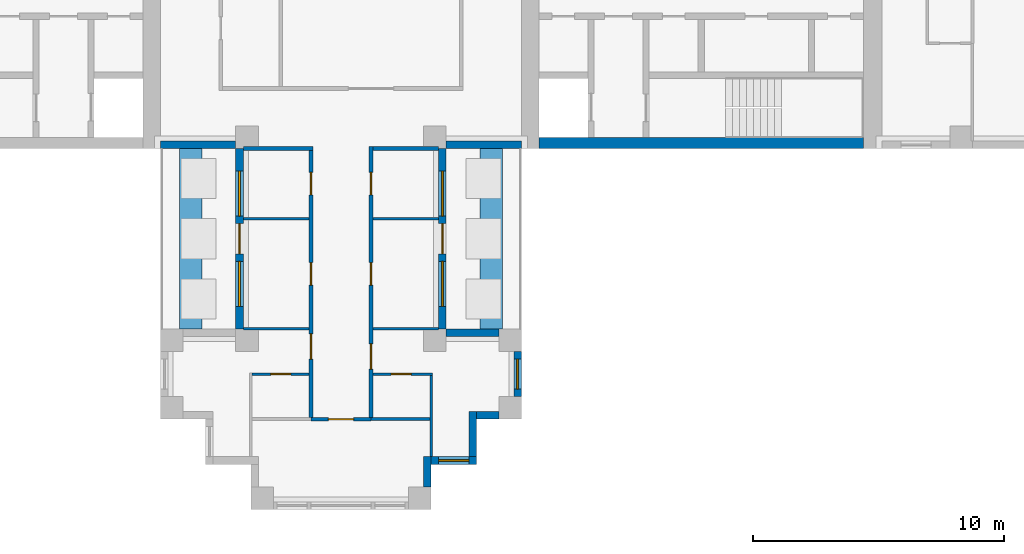
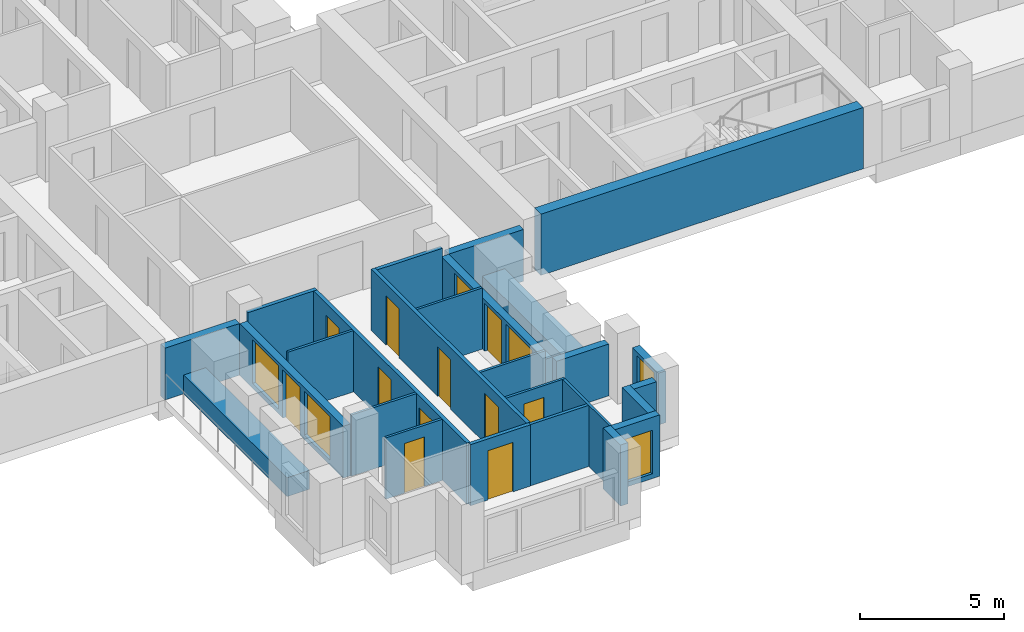
# One storey, part 5 of 12: 26 walls, 11 doors, 6 windows, 17 openings.
"""IFC4 building model written with IfcOpenShell, lengths in metres."""

import ifcopenshell
import ifcopenshell.guid

model = None  # the IFC model being written
_history = None  # IfcOwnerHistory: only IFC2X3 demands one
_inside = {}  # id of a spatial element -> (the spatial element, [elements in it])
_under = {}  # id of a project, library or spatial element -> (it, [spatial elements below it])
_declared = {}  # id of a project -> (the project, [libraries it declares])
_typed = {}  # id of a type object -> (the type object, [elements of that type])
_made_of = {}  # id of a material, layer set ... -> (it, [elements and type objects made of it])


def new_model(schema):
    """Start an empty IFC model of exactly this schema.

    Asked for "IFC4X3", IfcOpenShell would pick the latest addendum, in which some entities
    have other attributes; the version numbers below select the first issue.
    IFC2X3 requires an IfcOwnerHistory on every rooted entity: one is made here for all.
    """
    global model, _history
    if schema == "IFC4X3":
        model = ifcopenshell.file(schema_version=(4, 3, 0, 0))
    else:
        model = ifcopenshell.file(schema=schema)
    _inside.clear()
    _under.clear()
    _declared.clear()
    _typed.clear()
    _made_of.clear()
    _history = None
    if model.schema == "IFC2X3":
        org = make("IfcOrganization", Name="unknown")
        user = make(
            "IfcPersonAndOrganization",
            ThePerson=make("IfcPerson", FamilyName="unknown"),
            TheOrganization=org,
        )
        app = make(
            "IfcApplication",
            ApplicationDeveloper=org,
            Version="unknown",
            ApplicationFullName="unknown",
            ApplicationIdentifier="unknown",
        )
        _history = make(
            "IfcOwnerHistory",
            OwningUser=user,
            OwningApplication=app,
            ChangeAction="ADDED",
            CreationDate=0,
        )
    return model


def make(cls, **values):
    """One entity of the class cls with the attributes given. An attribute that is None is left unset."""
    return model.create_entity(
        cls, **{name: value for name, value in values.items() if value is not None}
    )


def rooted(cls, **values):
    """An entity with a GlobalId (a new one), such as an element, a storey or a relation."""
    return make(cls, GlobalId=ifcopenshell.guid.new(), OwnerHistory=_history, **values)


def si_unit(unit_type, name, prefix=None):
    """IfcSIUnit, for example si_unit("LENGTHUNIT", "METRE", prefix="MILLI")."""
    return make("IfcSIUnit", UnitType=unit_type, Prefix=prefix, Name=name)


def assignment(units):
    """IfcUnitAssignment: the units of a project."""
    return None if units is None else make("IfcUnitAssignment", Units=units)


def point(xyz):
    """IfcCartesianPoint."""
    return None if xyz is None else make("IfcCartesianPoint", Coordinates=xyz)


def direction(xyz):
    """IfcDirection."""
    return None if xyz is None else make("IfcDirection", DirectionRatios=xyz)


def frame(location, z_axis=None, x_axis=None):
    """IfcAxis2Placement3D, a coordinate frame: its origin and axes. An axis left out is left unset."""
    return make(
        "IfcAxis2Placement3D",
        Location=point(location),
        Axis=direction(z_axis),
        RefDirection=direction(x_axis),
    )


def frame_2d(location, x_axis=None):
    """IfcAxis2Placement2D, a coordinate frame in the plane: its origin and x axis."""
    return make(
        "IfcAxis2Placement2D", Location=point(location), RefDirection=direction(x_axis)
    )


def origin():
    """The frame at (0, 0, 0) with its axes left unset."""
    return frame((0.0, 0.0, 0.0))


def place(relative_to, where):
    """IfcLocalPlacement: puts the frame where relative to a parent placement (None: the world)."""
    return make(
        "IfcLocalPlacement", PlacementRelTo=relative_to, RelativePlacement=where
    )


def context(
    kind, dimensions, precision=None, world=None, true_north=None, identifier=None
):
    """IfcGeometricRepresentationContext, for example the 3D "Model" context."""
    return make(
        "IfcGeometricRepresentationContext",
        ContextIdentifier=identifier,
        ContextType=kind,
        CoordinateSpaceDimension=dimensions,
        Precision=precision,
        WorldCoordinateSystem=world,
        TrueNorth=true_north,
    )


def subcontext(parent, identifier, kind, view, scale=None):
    """IfcGeometricRepresentationSubContext, for example "Body" below "Model"."""
    return make(
        "IfcGeometricRepresentationSubContext",
        ContextIdentifier=identifier,
        ContextType=kind,
        ParentContext=parent,
        TargetScale=scale,
        TargetView=view,
    )


def project(units=None, contexts=None):
    """IfcProject with its units and contexts."""
    return rooted(
        "IfcProject",
        Name="project",
        RepresentationContexts=contexts,
        UnitsInContext=assignment(units),
    )


def spatial(cls, under=None, at=None, **own):
    """A site, building, storey or space (cls), placed at a placement, below another one or the project."""
    s = rooted(cls, ObjectPlacement=at, **own)
    if under is not None:
        _under.setdefault(under.id(), (under, []))[1].append(s)
    return s


def profile(cls, at=None, kind="AREA", **sizes):
    """A parametric profile (cls). Its sizes go by their IFC names, for example OverallWidth=200.0."""
    return make(cls, ProfileType=kind, Position=at, **sizes)


def rectangle(**sizes):
    """IfcRectangleProfileDef."""
    return profile("IfcRectangleProfileDef", **sizes)


def extrude(swept, where, along, depth):
    """IfcExtrudedAreaSolid: the profile swept, set in the frame where, extruded along a direction by depth."""
    return make(
        "IfcExtrudedAreaSolid",
        SweptArea=swept,
        Position=where,
        ExtrudedDirection=direction(along),
        Depth=depth,
    )


def shape(context_of_items, identifier, shape_type, items):
    """IfcShapeRepresentation: the items that make up one representation, for example the "Body"."""
    return make(
        "IfcShapeRepresentation",
        ContextOfItems=context_of_items,
        RepresentationIdentifier=identifier,
        RepresentationType=shape_type,
        Items=items,
    )


def material(Name=None, Category=None):
    """IfcMaterial."""
    return make("IfcMaterial", Name=Name, Category=Category)


def layer(
    of_material, thickness, ventilated=None, Name=None, Category=None, Priority=None
):
    """IfcMaterialLayer: one layer of a wall or slab, of a material (None: an air gap)."""
    return make(
        "IfcMaterialLayer",
        Material=of_material,
        LayerThickness=thickness,
        IsVentilated=ventilated,
        Name=Name,
        Category=Category,
        Priority=Priority,
    )


def layer_set(layers, Name=None):
    """IfcMaterialLayerSet."""
    return make("IfcMaterialLayerSet", MaterialLayers=layers, LayerSetName=Name)


def made_of(thing, what):
    """Note that an element or type object is made of a material, layer set ...; save() writes the relation."""
    if what is not None:
        _made_of.setdefault(what.id(), (what, []))[1].append(thing)
    return thing


def type_object(cls, material=None, **own):
    """A type object (cls), such as IfcWallType, which elements share."""
    return made_of(rooted(cls, **own), material)


def element(
    cls,
    number,
    at=None,
    inside=None,
    cuts=None,
    type_object=None,
    material=None,
    context=None,
    identifier="Body",
    shape_type=None,
    held_by="IfcProductDefinitionShape",
    body=None,
    shapes=None,
    **own,
):
    """One element of the class cls, such as IfcWall. Its Tag is "e" and its number.

    at: its placement. inside: the storey or other place that contains it. cuts: it is an
    opening in that element (IfcRelVoidsElement). A single representation is given by context,
    identifier, shape_type and body (its items); several are given by shapes. held_by: the class
    of the entity that holds the representations. save() writes the other relations.
    """
    e = rooted(cls, Tag="e%d" % number, ObjectPlacement=at, **own)
    if body is not None:
        shapes = [shape(context, identifier, shape_type, body)]
    if shapes is not None:
        e.Representation = make(held_by, Representations=shapes)
    if inside is not None:
        _inside.setdefault(inside.id(), (inside, []))[1].append(e)
    if cuts is not None:
        rooted(
            "IfcRelVoidsElement", RelatingBuildingElement=cuts, RelatedOpeningElement=e
        )
    if type_object is not None:
        _typed.setdefault(type_object.id(), (type_object, []))[1].append(e)
    return made_of(e, material)


def fill(opening, filler):
    """IfcRelFillsElement: the door or window that sits in an opening."""
    return rooted(
        "IfcRelFillsElement",
        RelatingOpeningElement=opening,
        RelatedBuildingElement=filler,
    )


def aggregate(whole, parts):
    """IfcRelAggregates: a whole, such as a stair, and the parts it consists of."""
    return rooted("IfcRelAggregates", RelatingObject=whole, RelatedObjects=parts)


def save(model, path):
    """Write the relations noted so far, then the file.

    IfcRelAggregates (storeys below a building ...), IfcRelContainedInSpatialStructure (elements
    in a storey), IfcRelDefinesByType, IfcRelAssociatesMaterial and IfcRelDeclares: one each for
    every whole, place, type object, material and project.
    """
    for whole, parts in _under.values():
        aggregate(whole, parts)
    for where, things in _inside.values():
        rooted(
            "IfcRelContainedInSpatialStructure",
            RelatedElements=things,
            RelatingStructure=where,
        )
    for kind, things in _typed.values():
        rooted("IfcRelDefinesByType", RelatedObjects=things, RelatingType=kind)
    for what, things in _made_of.values():
        rooted("IfcRelAssociatesMaterial", RelatedObjects=things, RelatingMaterial=what)
    for by, libraries in _declared.values():
        rooted("IfcRelDeclares", RelatingContext=by, RelatedDefinitions=libraries)
    model.write(path)


model = new_model("IFC4")

# Units and contexts
model_context = context("Model", 3, precision=1e-05, world=origin(), true_north=direction((0.0, 1.0)))
body_context = subcontext(model_context, "Body", "Model", "MODEL_VIEW")
ifc_project = project(units=[si_unit("LENGTHUNIT", "METRE"), si_unit("AREAUNIT", "SQUARE_METRE"), si_unit("VOLUMEUNIT", "CUBIC_METRE"), si_unit("PLANEANGLEUNIT", "RADIAN"), si_unit("MASSUNIT", "GRAM", prefix="KILO")], contexts=[model_context])

# Site, building, storey
site_placement = place(None, origin())
site = spatial("IfcSite", under=ifc_project, at=site_placement, CompositionType="ELEMENT")
building_placement = place(site_placement, origin())
building = spatial("IfcBuilding", under=site, at=building_placement, Name="Fustian Cross Tower", CompositionType="ELEMENT")
storey_placement = place(building_placement, frame((0.0, 0.0, 150.300048828125)))
storey = spatial("IfcBuildingStorey", under=building, at=storey_placement, Name="L47", CompositionType="ELEMENT", Elevation=150.300048828125)

# Wall
ifc_material_1 = material(Name="Plasterboard on steel stud", Category="steel")
ifc_layer_1 = layer(ifc_material_1, 0.14990234375)
ifc_layer_set_1 = layer_set([ifc_layer_1], Name="Plasterboard on steel stud")
wall_type_1 = type_object("IfcWallType", Name="COMPARTMENT WALL 150 EI 60", PredefinedType="PARTITIONING", material=ifc_layer_set_1)
wall_1_placement = place(storey_placement, frame((-3.89990234375, -7.199951171875, 0.0), z_axis=(0.0, 0.0, 1.0), x_axis=(1.0, 0.0, 0.0)))
element("IfcWall", 1, at=wall_1_placement, inside=storey, type_object=wall_type_1, Name="Partition 23", PredefinedType="PARTITIONING", context=body_context, shape_type="SweptSolid", body=[
    extrude(rectangle(XDim=2.77490234375, YDim=0.14990234375, at=frame_2d((1.387451171875, 0.0))), origin(), (0.0, 0.0, 1.0), 2.599853515625),
])

# Wall, openings, doors
wall_2_placement = place(storey_placement, frame((-1.199951171875, -17.925048828125, 0.0), z_axis=(0.0, 0.0, 1.0), x_axis=(0.0, 1.0, 0.0)))
wall_2 = element("IfcWall", 2, at=wall_2_placement, inside=storey, type_object=wall_type_1, Name="Partition 36", PredefinedType="PARTITIONING", context=body_context, shape_type="SweptSolid", body=[
    extrude(rectangle(XDim=10.650146484375, YDim=0.14990234375, at=frame_2d((5.3251953125, 0.0))), origin(), (0.0, 0.0, 1.0), 2.599853515625),
])
opening_1_placement = place(wall_2_placement, frame((8.875, 0.0, 0.0)))
opening_1 = element("IfcOpeningElement", 3, at=opening_1_placement, cuts=wall_2, Name="Opening D21043", PredefinedType="OPENING", context=body_context, shape_type="SweptSolid", body=[
    extrude(rectangle(XDim=0.89990234375, YDim=2.10009765625, at=frame_2d((0.449951171875, 1.050048828125))), frame((0.0, 0.0849609375, 0.0), z_axis=(0.0, -1.0, 0.0), x_axis=(1.0, 0.0, 0.0)), (0.0, 0.0, 1.0), 0.169921875),
])
opening_2_placement = place(wall_2_placement, frame((5.27490234375, 0.0, 0.0)))
opening_2 = element("IfcOpeningElement", 4, at=opening_2_placement, cuts=wall_2, Name="Opening D21044", PredefinedType="OPENING", context=body_context, shape_type="SweptSolid", body=[
    extrude(rectangle(XDim=0.89990234375, YDim=2.10009765625, at=frame_2d((0.449951171875, 1.050048828125))), frame((0.0, 0.0849609375, 0.0), z_axis=(0.0, -1.0, 0.0), x_axis=(1.0, 0.0, 0.0)), (0.0, 0.0, 1.0), 0.169921875),
])
opening_3_placement = place(wall_2_placement, frame((2.324951171875, 0.0, 0.0)))
opening_3 = element("IfcOpeningElement", 5, at=opening_3_placement, cuts=wall_2, Name="Opening D21046", PredefinedType="OPENING", context=body_context, shape_type="SweptSolid", body=[
    extrude(rectangle(XDim=1.0, YDim=2.10009765625, at=frame_2d((0.5, 1.050048828125))), frame((0.0, 0.0849609375, 0.0), z_axis=(0.0, -1.0, 0.0), x_axis=(1.0, 0.0, 0.0)), (0.0, 0.0, 1.0), 0.169921875),
])
ifc_material_2 = material(Name="Timber fire door set", Category="wood")
door_type_1 = type_object("IfcDoorType", Name="FIRE SWING DOOR 1000 FD30S", OperationType="SINGLE_SWING_LEFT", PredefinedType="DOOR", material=ifc_material_2)
door_1_placement = place(opening_3_placement, origin())
door_1 = element("IfcDoor", 6, at=door_1_placement, inside=storey, type_object=door_type_1, Name="Door D21046", OperationType="SINGLE_SWING_RIGHT", OverallHeight=2.10009765625, OverallWidth=1.0, PredefinedType="DOOR", context=body_context, shape_type="SweptSolid", body=[
    extrude(rectangle(XDim=1.0, YDim=2.10009765625, at=frame_2d((0.5, 1.050048828125))), frame((0.0, 0.02490234375, 0.0), z_axis=(0.0, -1.0, 0.0), x_axis=(1.0, 0.0, 0.0)), (0.0, 0.0, 1.0), 0.050048828125),
])
fill(opening_3, door_1)
ifc_material_3 = material(Name="Timber fire door set", Category="wood")
door_type_2 = type_object("IfcDoorType", Name="FIRE SWING DOOR 900 FD30S", OperationType="SINGLE_SWING_LEFT", PredefinedType="DOOR", material=ifc_material_3)
door_2_placement = place(opening_1_placement, origin())
door_2 = element("IfcDoor", 7, at=door_2_placement, inside=storey, type_object=door_type_2, Name="Door D21043", OperationType="SINGLE_SWING_LEFT", OverallHeight=2.10009765625, OverallWidth=0.89990234375, PredefinedType="DOOR", context=body_context, shape_type="SweptSolid", body=[
    extrude(rectangle(XDim=0.89990234375, YDim=2.10009765625, at=frame_2d((0.449951171875, 1.050048828125))), frame((0.0, 0.02490234375, 0.0), z_axis=(0.0, -1.0, 0.0), x_axis=(1.0, 0.0, 0.0)), (0.0, 0.0, 1.0), 0.050048828125),
])
fill(opening_1, door_2)
door_3_placement = place(opening_2_placement, origin())
door_3 = element("IfcDoor", 8, at=door_3_placement, inside=storey, type_object=door_type_2, Name="Door D21044", OperationType="SINGLE_SWING_LEFT", OverallHeight=2.10009765625, OverallWidth=0.89990234375, PredefinedType="DOOR", context=body_context, shape_type="SweptSolid", body=[
    extrude(rectangle(XDim=0.89990234375, YDim=2.10009765625, at=frame_2d((0.449951171875, 1.050048828125))), frame((0.0, 0.02490234375, 0.0), z_axis=(0.0, -1.0, 0.0), x_axis=(1.0, 0.0, 0.0)), (0.0, 0.0, 1.0), 0.050048828125),
])
fill(opening_2, door_3)

# Wall, opening, door
wall_3_placement = place(storey_placement, frame((-1.199951171875, -18.0, 0.0), z_axis=(0.0, 0.0, 1.0), x_axis=(1.0, 0.0, 0.0)))
wall_3 = element("IfcWall", 9, at=wall_3_placement, inside=storey, type_object=wall_type_1, Name="Partition 37", PredefinedType="PARTITIONING", context=body_context, shape_type="SweptSolid", body=[
    extrude(rectangle(XDim=2.39990234375, YDim=0.14990234375, at=frame_2d((1.199951171875, 0.0))), origin(), (0.0, 0.0, 1.0), 2.599853515625),
])
opening_4_placement = place(wall_3_placement, frame((0.699951171875, 0.0, 0.0)))
opening_4 = element("IfcOpeningElement", 10, at=opening_4_placement, cuts=wall_3, Name="Opening D21038", PredefinedType="OPENING", context=body_context, shape_type="SweptSolid", body=[
    extrude(rectangle(XDim=1.0, YDim=2.10009765625, at=frame_2d((0.5, 1.050048828125))), frame((0.0, 0.0849609375, 0.0), z_axis=(0.0, -1.0, 0.0), x_axis=(1.0, 0.0, 0.0)), (0.0, 0.0, 1.0), 0.169921875),
])
door_4_placement = place(opening_4_placement, frame((1.0, 0.0, 0.0), z_axis=(0.0, 0.0, 1.0), x_axis=(-1.0, 0.0, 0.0)))
door_4 = element("IfcDoor", 11, at=door_4_placement, inside=storey, type_object=door_type_1, Name="Door D21038", OperationType="SINGLE_SWING_RIGHT", OverallHeight=2.10009765625, OverallWidth=1.0, PredefinedType="DOOR", context=body_context, shape_type="SweptSolid", body=[
    extrude(rectangle(XDim=1.0, YDim=2.10009765625, at=frame_2d((0.5, 1.050048828125))), frame((0.0, 0.02490234375, 0.0), z_axis=(0.0, -1.0, 0.0), x_axis=(1.0, 0.0, 0.0)), (0.0, 0.0, 1.0), 0.050048828125),
])
fill(opening_4, door_4)

# Wall, openings, doors
wall_4_placement = place(storey_placement, frame((1.199951171875, -17.925048828125, 0.0), z_axis=(0.0, 0.0, 1.0), x_axis=(0.0, 1.0, 0.0)))
wall_4 = element("IfcWall", 12, at=wall_4_placement, inside=storey, type_object=wall_type_1, Name="Partition 40", PredefinedType="PARTITIONING", context=body_context, shape_type="SweptSolid", body=[
    extrude(rectangle(XDim=10.800048828125, YDim=0.14990234375, at=frame_2d((5.39990234375, 0.0))), origin(), (0.0, 0.0, 1.0), 2.599853515625),
])
opening_5_placement = place(wall_4_placement, frame((8.875, 0.0, 0.0)))
opening_5 = element("IfcOpeningElement", 13, at=opening_5_placement, cuts=wall_4, Name="Opening D21039", PredefinedType="OPENING", context=body_context, shape_type="SweptSolid", body=[
    extrude(rectangle(XDim=0.89990234375, YDim=2.10009765625, at=frame_2d((0.449951171875, 1.050048828125))), frame((0.0, 0.0849609375, 0.0), z_axis=(0.0, -1.0, 0.0), x_axis=(1.0, 0.0, 0.0)), (0.0, 0.0, 1.0), 0.169921875),
])
opening_6_placement = place(wall_4_placement, frame((5.27490234375, 0.0, 0.0)))
opening_6 = element("IfcOpeningElement", 14, at=opening_6_placement, cuts=wall_4, Name="Opening D21040", PredefinedType="OPENING", context=body_context, shape_type="SweptSolid", body=[
    extrude(rectangle(XDim=0.89990234375, YDim=2.10009765625, at=frame_2d((0.449951171875, 1.050048828125))), frame((0.0, 0.0849609375, 0.0), z_axis=(0.0, -1.0, 0.0), x_axis=(1.0, 0.0, 0.0)), (0.0, 0.0, 1.0), 0.169921875),
])
opening_7_placement = place(wall_4_placement, frame((1.925048828125, 0.0, 0.0)))
opening_7 = element("IfcOpeningElement", 15, at=opening_7_placement, cuts=wall_4, Name="Opening D21042", PredefinedType="OPENING", context=body_context, shape_type="SweptSolid", body=[
    extrude(rectangle(XDim=1.0, YDim=2.10009765625, at=frame_2d((0.5, 1.050048828125))), frame((0.0, 0.0849609375, 0.0), z_axis=(0.0, -1.0, 0.0), x_axis=(1.0, 0.0, 0.0)), (0.0, 0.0, 1.0), 0.169921875),
])
door_5_placement = place(opening_7_placement, frame((1.0, 0.0, 0.0), z_axis=(0.0, 0.0, 1.0), x_axis=(-1.0, 0.0, 0.0)))
door_5 = element("IfcDoor", 16, at=door_5_placement, inside=storey, type_object=door_type_1, Name="Door D21042", OperationType="SINGLE_SWING_RIGHT", OverallHeight=2.10009765625, OverallWidth=1.0, PredefinedType="DOOR", context=body_context, shape_type="SweptSolid", body=[
    extrude(rectangle(XDim=1.0, YDim=2.10009765625, at=frame_2d((0.5, 1.050048828125))), frame((0.0, 0.02490234375, 0.0), z_axis=(0.0, -1.0, 0.0), x_axis=(1.0, 0.0, 0.0)), (0.0, 0.0, 1.0), 0.050048828125),
])
fill(opening_7, door_5)
door_6_placement = place(opening_5_placement, frame((0.89990234375, 0.0, 0.0), z_axis=(0.0, 0.0, 1.0), x_axis=(-1.0, 0.0, 0.0)))
door_6 = element("IfcDoor", 17, at=door_6_placement, inside=storey, type_object=door_type_2, Name="Door D21039", OperationType="SINGLE_SWING_RIGHT", OverallHeight=2.10009765625, OverallWidth=0.89990234375, PredefinedType="DOOR", context=body_context, shape_type="SweptSolid", body=[
    extrude(rectangle(XDim=0.89990234375, YDim=2.10009765625, at=frame_2d((0.449951171875, 1.050048828125))), frame((0.0, 0.02490234375, 0.0), z_axis=(0.0, -1.0, 0.0), x_axis=(1.0, 0.0, 0.0)), (0.0, 0.0, 1.0), 0.050048828125),
])
fill(opening_5, door_6)
door_7_placement = place(opening_6_placement, frame((0.89990234375, 0.0, 0.0), z_axis=(0.0, 0.0, 1.0), x_axis=(-1.0, 0.0, 0.0)))
door_7 = element("IfcDoor", 18, at=door_7_placement, inside=storey, type_object=door_type_2, Name="Door D21040", OperationType="SINGLE_SWING_RIGHT", OverallHeight=2.10009765625, OverallWidth=0.89990234375, PredefinedType="DOOR", context=body_context, shape_type="SweptSolid", body=[
    extrude(rectangle(XDim=0.89990234375, YDim=2.10009765625, at=frame_2d((0.449951171875, 1.050048828125))), frame((0.0, 0.02490234375, 0.0), z_axis=(0.0, -1.0, 0.0), x_axis=(1.0, 0.0, 0.0)), (0.0, 0.0, 1.0), 0.050048828125),
])
fill(opening_6, door_7)

# Walls
wall_5_placement = place(storey_placement, frame((1.27490234375, -7.199951171875, 0.0), z_axis=(0.0, 0.0, 1.0), x_axis=(1.0, 0.0, 0.0)))
element("IfcWall", 19, at=wall_5_placement, inside=storey, type_object=wall_type_1, Name="Partition 45", PredefinedType="PARTITIONING", context=body_context, shape_type="SweptSolid", body=[
    extrude(rectangle(XDim=2.625, YDim=0.14990234375, at=frame_2d((1.3125, 0.0))), origin(), (0.0, 0.0, 1.0), 2.599853515625),
])
ifc_material_4 = material(Name="Concrete C60/75", Category="concrete")
ifc_layer_2 = layer(ifc_material_4, 0.449951171875)
ifc_layer_set_2 = layer_set([ifc_layer_2], Name="Concrete C60/75")
wall_type_2 = type_object("IfcWallType", Name="CORE FACADE WALL 450 C60/75", PredefinedType="SHEAR", material=ifc_layer_set_2)
wall_6_placement = place(storey_placement, frame((7.89990234375, -6.97509765625, 0.0), z_axis=(0.0, 0.0, 1.0), x_axis=(1.0, 0.0, 0.0)))
element("IfcWall", 20, at=wall_6_placement, inside=storey, type_object=wall_type_2, Name="Core facade wall", PredefinedType="SHEAR", context=body_context, shape_type="SweptSolid", body=[
    extrude(rectangle(XDim=12.9501953125, YDim=0.449951171875, at=frame_2d((6.47509765625, 0.0))), origin(), (0.0, 0.0, 1.0), 2.599853515625),
])
ifc_material_5 = material(Name="Plasterboard on steel stud", Category="steel")
ifc_layer_3 = layer(ifc_material_5, 0.10009765625)
ifc_layer_set_3 = layer_set([ifc_layer_3], Name="Plasterboard on steel stud")
wall_type_3 = type_object("IfcWallType", Name="PARTITION 100 STUD", PredefinedType="PARTITIONING", material=ifc_layer_set_3)
for number, where, z_axis, x_axis, name in (
    (21, (-3.89990234375, -14.39990234375, 0.0), (0.0, 0.0, 1.0), (1.0, 0.0, 0.0), "Partition 21"),
    (22, (-3.89990234375, -10.0, 0.0), (0.0, 0.0, 1.0), (1.0, 0.0, 0.0), "Partition 22"),
):
    element("IfcWall", number, at=place(storey_placement, frame(where, z_axis=z_axis, x_axis=x_axis)), inside=storey, type_object=wall_type_3, Name=name, PredefinedType="PARTITIONING", context=body_context, shape_type="SweptSolid", body=[
        extrude(rectangle(XDim=2.625, YDim=0.10009765625, at=frame_2d((1.3125, 0.0))), origin(), (0.0, 0.0, 1.0), 2.599853515625),
    ])

# Wall, opening, door
wall_7_placement = place(storey_placement, frame((-3.550048828125, -16.199951171875, 0.0), z_axis=(0.0, 0.0, 1.0), x_axis=(1.0, 0.0, 0.0)))
wall_7 = element("IfcWall", 23, at=wall_7_placement, inside=storey, type_object=wall_type_3, Name="Partition 29", PredefinedType="PARTITIONING", context=body_context, shape_type="SweptSolid", body=[
    extrude(rectangle(XDim=2.275146484375, YDim=0.10009765625, at=frame_2d((1.1376953125, 0.0))), origin(), (0.0, 0.0, 1.0), 2.599853515625),
])
opening_8_placement = place(wall_7_placement, frame((0.75, 0.0, 0.0)))
opening_8 = element("IfcOpeningElement", 24, at=opening_8_placement, cuts=wall_7, Name="Opening D21045", PredefinedType="OPENING", context=body_context, shape_type="SweptSolid", body=[
    extrude(rectangle(XDim=0.800048828125, YDim=2.10009765625, at=frame_2d((0.39990234375, 1.050048828125))), frame((0.0, 0.06005859375, 0.0), z_axis=(0.0, -1.0, 0.0), x_axis=(1.0, 0.0, 0.0)), (0.0, 0.0, 1.0), 0.1201171875),
])
ifc_material_6 = material(Name="Painted timber", Category="wood")
door_type_3 = type_object("IfcDoorType", Name="SWING DOOR 800", OperationType="SINGLE_SWING_LEFT", PredefinedType="DOOR", material=ifc_material_6)
door_8_placement = place(opening_8_placement, frame((0.800048828125, 0.0, 0.0), z_axis=(0.0, 0.0, 1.0), x_axis=(-1.0, 0.0, 0.0)))
door_8 = element("IfcDoor", 25, at=door_8_placement, inside=storey, type_object=door_type_3, Name="Door D21045", OperationType="SINGLE_SWING_RIGHT", OverallHeight=2.10009765625, OverallWidth=0.800048828125, PredefinedType="DOOR", context=body_context, shape_type="SweptSolid", body=[
    extrude(rectangle(XDim=0.800048828125, YDim=2.10009765625, at=frame_2d((0.39990234375, 1.050048828125))), frame((0.0, 0.02490234375, 0.0), z_axis=(0.0, -1.0, 0.0), x_axis=(1.0, 0.0, 0.0)), (0.0, 0.0, 1.0), 0.050048828125),
])
fill(opening_8, door_8)

wall_8_placement = place(storey_placement, frame((1.27490234375, -16.199951171875, 0.0), z_axis=(0.0, 0.0, 1.0), x_axis=(1.0, 0.0, 0.0)))
wall_8 = element("IfcWall", 26, at=wall_8_placement, inside=storey, type_object=wall_type_3, Name="Partition 42", PredefinedType="PARTITIONING", context=body_context, shape_type="SweptSolid", body=[
    extrude(rectangle(XDim=2.375, YDim=0.10009765625, at=frame_2d((1.1875, 0.0))), origin(), (0.0, 0.0, 1.0), 2.599853515625),
])
opening_9_placement = place(wall_8_placement, frame((0.72509765625, 0.0, 0.0)))
opening_9 = element("IfcOpeningElement", 27, at=opening_9_placement, cuts=wall_8, Name="Opening D21041", PredefinedType="OPENING", context=body_context, shape_type="SweptSolid", body=[
    extrude(rectangle(XDim=0.800048828125, YDim=2.10009765625, at=frame_2d((0.39990234375, 1.050048828125))), frame((0.0, 0.06005859375, 0.0), z_axis=(0.0, -1.0, 0.0), x_axis=(1.0, 0.0, 0.0)), (0.0, 0.0, 1.0), 0.1201171875),
])
door_9_placement = place(opening_9_placement, frame((0.800048828125, 0.0, 0.0), z_axis=(0.0, 0.0, 1.0), x_axis=(-1.0, 0.0, 0.0)))
door_9 = element("IfcDoor", 28, at=door_9_placement, inside=storey, type_object=door_type_3, Name="Door D21041", OperationType="SINGLE_SWING_RIGHT", OverallHeight=2.10009765625, OverallWidth=0.800048828125, PredefinedType="DOOR", context=body_context, shape_type="SweptSolid", body=[
    extrude(rectangle(XDim=0.800048828125, YDim=2.10009765625, at=frame_2d((0.39990234375, 1.050048828125))), frame((0.0, 0.02490234375, 0.0), z_axis=(0.0, -1.0, 0.0), x_axis=(1.0, 0.0, 0.0)), (0.0, 0.0, 1.0), 0.050048828125),
])
fill(opening_9, door_9)

# Walls
for number, where, z_axis, x_axis, name in (
    (29, (1.27490234375, -14.39990234375, 0.0), (0.0, 0.0, 1.0), (1.0, 0.0, 0.0), "Partition 43"),
    (30, (1.27490234375, -10.0, 0.0), (0.0, 0.0, 1.0), (1.0, 0.0, 0.0), "Partition 44"),
):
    element("IfcWall", number, at=place(storey_placement, frame(where, z_axis=z_axis, x_axis=x_axis)), inside=storey, type_object=wall_type_3, Name=name, PredefinedType="PARTITIONING", context=body_context, shape_type="SweptSolid", body=[
        extrude(rectangle(XDim=2.625, YDim=0.10009765625, at=frame_2d((1.3125, 0.0))), origin(), (0.0, 0.0, 1.0), 2.599853515625),
    ])
wall_9_placement = place(storey_placement, frame((3.60009765625, -19.5, 0.0), z_axis=(0.0, 0.0, 1.0), x_axis=(0.0, 1.0, 0.0)))
element("IfcWall", 31, at=wall_9_placement, inside=storey, type_object=wall_type_3, Name="Partition 52", PredefinedType="PARTITIONING", context=body_context, shape_type="SweptSolid", body=[
    extrude(rectangle(XDim=3.25, YDim=0.10009765625, at=frame_2d((1.625, 0.0))), origin(), (0.0, 0.0, 1.0), 2.599853515625),
])
ifc_material_7 = material(Name="Concrete C40/50", Category="concrete")
ifc_layer_4 = layer(ifc_material_7, 0.89990234375)
ifc_layer_set_4 = layer_set([ifc_layer_4], Name="Concrete C40/50")
wall_type_4 = type_object("IfcWallType", Name="PK1 PLANTER 900", PredefinedType="PARAPET", material=ifc_layer_set_4)
for number, where, z_axis, x_axis, name in (
    (32, (6.0, -14.39990234375, 0.0), (0.0, 0.0, 1.0), (0.0, 1.0, 0.0), "PLANTER"),
    (33, (-6.0, -14.39990234375, 0.0), (0.0, 0.0, 1.0), (0.0, 1.0, 0.0), "PLANTER"),
):
    element("IfcWall", number, at=place(storey_placement, frame(where, z_axis=z_axis, x_axis=x_axis)), inside=storey, type_object=wall_type_4, Name=name, PredefinedType="PARAPET", context=body_context, shape_type="SweptSolid", body=[
        extrude(rectangle(XDim=7.199951171875, YDim=0.89990234375, at=frame_2d((3.60009765625, 0.0))), origin(), (0.0, 0.0, 1.0), 0.800048828125),
    ])
ifc_material_8 = material(Name="Plasterboard on steel stud", Category="steel")
ifc_layer_5 = layer(ifc_material_8, 0.125)
ifc_layer_set_5 = layer_set([ifc_layer_5], Name="Plasterboard on steel stud")
wall_type_5 = type_object("IfcWallType", Name="WET WALL 125 STUD", PredefinedType="PARTITIONING", material=ifc_layer_set_5)
wall_10_placement = place(storey_placement, frame((1.199951171875, -18.0, 0.0), z_axis=(0.0, 0.0, 1.0), x_axis=(1.0, 0.0, 0.0)))
element("IfcWall", 34, at=wall_10_placement, inside=storey, type_object=wall_type_5, Name="Partition 41", PredefinedType="PARTITIONING", context=body_context, shape_type="SweptSolid", body=[
    extrude(rectangle(XDim=2.35009765625, YDim=0.125, at=frame_2d((1.175048828125, 0.0))), origin(), (0.0, 0.0, 1.0), 2.599853515625),
])
ifc_material_9 = material(Name="Dark aluminium cladding on insulated backing wall", Category="aluminium")
ifc_layer_6 = layer(ifc_material_9, 0.300048828125)
ifc_layer_set_6 = layer_set([ifc_layer_6], Name="Dark aluminium cladding on insulated backing wall")
wall_type_6 = type_object("IfcWallType", Name="XW1 EXTERNAL WALL 300", PredefinedType="SOLIDWALL", material=ifc_layer_set_6)
wall_11_placement = place(storey_placement, frame((-7.199951171875, -7.050048828125, 0.0), z_axis=(0.0, 0.0, 1.0), x_axis=(1.0, 0.0, 0.0)))
element("IfcWall", 35, at=wall_11_placement, inside=storey, type_object=wall_type_6, Name="External wall", PredefinedType="SOLIDWALL", context=body_context, shape_type="SweptSolid", body=[
    extrude(rectangle(XDim=3.0, YDim=0.300048828125, at=frame_2d((1.5, 0.0))), origin(), (0.0, 0.0, 1.0), 2.199951171875),
])

# Wall, openings, door, windows
wall_12_placement = place(storey_placement, frame((-4.050048828125, -7.199951171875, 0.0), z_axis=(0.0, 0.0, 1.0), x_axis=(0.0, -1.0, 0.0)))
wall_12 = element("IfcWall", 36, at=wall_12_placement, inside=storey, type_object=wall_type_6, Name="External wall", PredefinedType="SOLIDWALL", context=body_context, shape_type="SweptSolid", body=[
    extrude(rectangle(XDim=7.199951171875, YDim=0.300048828125, at=frame_2d((3.60009765625, 0.0))), origin(), (0.0, 0.0, 1.0), 2.199951171875),
])
opening_10_placement = place(wall_12_placement, frame((3.0, 0.0, 0.0)))
opening_10 = element("IfcOpeningElement", 37, at=opening_10_placement, cuts=wall_12, Name="Opening XD4", PredefinedType="OPENING", context=body_context, shape_type="SweptSolid", body=[
    extrude(rectangle(XDim=1.199951171875, YDim=2.050048828125, at=frame_2d((0.60009765625, 1.02490234375))), frame((0.0, 0.159912109375, 0.0), z_axis=(0.0, -1.0, 0.0), x_axis=(1.0, 0.0, 0.0)), (0.0, 0.0, 1.0), 0.320068359375),
])
opening_11_placement = place(wall_12_placement, frame((0.89990234375, 0.0, 0.199951171875)))
opening_11 = element("IfcOpeningElement", 38, at=opening_11_placement, cuts=wall_12, Name="Opening WN2", PredefinedType="OPENING", context=body_context, shape_type="SweptSolid", body=[
    extrude(rectangle(XDim=1.800048828125, YDim=1.85009765625, at=frame_2d((0.89990234375, 0.925048828125))), frame((0.0, 0.159912109375, 0.0), z_axis=(0.0, -1.0, 0.0), x_axis=(1.0, 0.0, 0.0)), (0.0, 0.0, 1.0), 0.320068359375),
])
opening_12_placement = place(wall_12_placement, frame((4.5, 0.0, 0.199951171875)))
opening_12 = element("IfcOpeningElement", 39, at=opening_12_placement, cuts=wall_12, Name="Opening WN2", PredefinedType="OPENING", context=body_context, shape_type="SweptSolid", body=[
    extrude(rectangle(XDim=1.800048828125, YDim=1.85009765625, at=frame_2d((0.89990234375, 0.925048828125))), frame((0.0, 0.159912109375, 0.0), z_axis=(0.0, -1.0, 0.0), x_axis=(1.0, 0.0, 0.0)), (0.0, 0.0, 1.0), 0.320068359375),
])
ifc_material_10 = material(Name="Dark anodised aluminium and double glazing", Category="aluminium")
door_type_4 = type_object("IfcDoorType", Name="ED1 BALCONY DOOR 1200X2050", OperationType="SINGLE_SWING_LEFT", PredefinedType="DOOR", material=ifc_material_10)
door_10_placement = place(opening_10_placement, origin())
door_10 = element("IfcDoor", 40, at=door_10_placement, inside=storey, type_object=door_type_4, Name="Balcony door", OperationType="SINGLE_SWING_LEFT", OverallHeight=2.050048828125, OverallWidth=1.199951171875, PredefinedType="DOOR", context=body_context, shape_type="SweptSolid", body=[
    extrude(rectangle(XDim=1.199951171875, YDim=2.050048828125, at=frame_2d((0.60009765625, 1.02490234375))), frame((0.0, 0.02490234375, 0.0), z_axis=(0.0, -1.0, 0.0), x_axis=(1.0, 0.0, 0.0)), (0.0, 0.0, 1.0), 0.050048828125),
])
fill(opening_10, door_10)
ifc_material_11 = material(Name="Dark anodised aluminium and double glazing", Category="aluminium")
window_type_1 = type_object("IfcWindowType", Name="WN2 WINDOW 1800X1850", PartitioningType="SINGLE_PANEL", PredefinedType="WINDOW", material=ifc_material_11)
window_1_placement = place(opening_11_placement, origin())
window_1 = element("IfcWindow", 41, at=window_1_placement, inside=storey, type_object=window_type_1, Name="Window", OverallHeight=1.85009765625, OverallWidth=1.800048828125, PartitioningType="SINGLE_PANEL", PredefinedType="WINDOW", context=body_context, shape_type="SweptSolid", body=[
    extrude(rectangle(XDim=1.800048828125, YDim=1.85009765625, at=frame_2d((0.89990234375, 0.925048828125))), frame((0.0, 0.030029296875, 0.0), z_axis=(0.0, -1.0, 0.0), x_axis=(1.0, 0.0, 0.0)), (0.0, 0.0, 1.0), 0.06005859375),
])
fill(opening_11, window_1)
window_2_placement = place(opening_12_placement, origin())
window_2 = element("IfcWindow", 42, at=window_2_placement, inside=storey, type_object=window_type_1, Name="Window", OverallHeight=1.85009765625, OverallWidth=1.800048828125, PartitioningType="SINGLE_PANEL", PredefinedType="WINDOW", context=body_context, shape_type="SweptSolid", body=[
    extrude(rectangle(XDim=1.800048828125, YDim=1.85009765625, at=frame_2d((0.89990234375, 0.925048828125))), frame((0.0, 0.030029296875, 0.0), z_axis=(0.0, -1.0, 0.0), x_axis=(1.0, 0.0, 0.0)), (0.0, 0.0, 1.0), 0.06005859375),
])
fill(opening_12, window_2)

# Wall
wall_13_placement = place(storey_placement, frame((3.449951171875, -20.699951171875, 0.0), z_axis=(0.0, 0.0, 1.0), x_axis=(0.0, 1.0, 0.0)))
element("IfcWall", 43, at=wall_13_placement, inside=storey, type_object=wall_type_6, Name="External wall", PredefinedType="SOLIDWALL", context=body_context, shape_type="SweptSolid", body=[
    extrude(rectangle(XDim=1.199951171875, YDim=0.300048828125, at=frame_2d((0.60009765625, 0.0))), origin(), (0.0, 0.0, 1.0), 2.599853515625),
])

# Wall, opening, window
wall_14_placement = place(storey_placement, frame((3.60009765625, -19.64990234375, 0.0), z_axis=(0.0, 0.0, 1.0), x_axis=(1.0, 0.0, 0.0)))
wall_14 = element("IfcWall", 44, at=wall_14_placement, inside=storey, type_object=wall_type_6, Name="External wall", PredefinedType="SOLIDWALL", context=body_context, shape_type="SweptSolid", body=[
    extrude(rectangle(XDim=1.7998046875, YDim=0.300048828125, at=frame_2d((0.89990234375, 0.0))), origin(), (0.0, 0.0, 1.0), 2.599853515625),
])
opening_13_placement = place(wall_14_placement, frame((0.300048828125, 0.0, 0.199951171875)))
opening_13 = element("IfcOpeningElement", 45, at=opening_13_placement, cuts=wall_14, Name="Opening WN3", PredefinedType="OPENING", context=body_context, shape_type="SweptSolid", body=[
    extrude(rectangle(XDim=1.199951171875, YDim=1.85009765625, at=frame_2d((0.60009765625, 0.925048828125))), frame((0.0, 0.159912109375, 0.0), z_axis=(0.0, -1.0, 0.0), x_axis=(1.0, 0.0, 0.0)), (0.0, 0.0, 1.0), 0.320068359375),
])
ifc_material_12 = material(Name="Dark anodised aluminium and double glazing", Category="aluminium")
window_type_2 = type_object("IfcWindowType", Name="WN3 WINDOW 1200X1850", PartitioningType="SINGLE_PANEL", PredefinedType="WINDOW", material=ifc_material_12)
window_3_placement = place(opening_13_placement, origin())
window_3 = element("IfcWindow", 46, at=window_3_placement, inside=storey, type_object=window_type_2, Name="Window", OverallHeight=1.85009765625, OverallWidth=1.199951171875, PartitioningType="SINGLE_PANEL", PredefinedType="WINDOW", context=body_context, shape_type="SweptSolid", body=[
    extrude(rectangle(XDim=1.199951171875, YDim=1.85009765625, at=frame_2d((0.60009765625, 0.925048828125))), frame((0.0, 0.030029296875, 0.0), z_axis=(0.0, -1.0, 0.0), x_axis=(1.0, 0.0, 0.0)), (0.0, 0.0, 1.0), 0.06005859375),
])
fill(opening_13, window_3)

# Walls
wall_15_placement = place(storey_placement, frame((5.25, -19.5, 0.0), z_axis=(0.0, 0.0, 1.0), x_axis=(0.0, 1.0, 0.0)))
element("IfcWall", 47, at=wall_15_placement, inside=storey, type_object=wall_type_6, Name="External wall", PredefinedType="SOLIDWALL", context=body_context, shape_type="SweptSolid", body=[
    extrude(rectangle(XDim=1.800048828125, YDim=0.300048828125, at=frame_2d((0.89990234375, 0.0))), origin(), (0.0, 0.0, 1.0), 2.599853515625),
])
wall_16_placement = place(storey_placement, frame((5.39990234375, -17.85009765625, 0.0), z_axis=(0.0, 0.0, 1.0), x_axis=(1.0, 0.0, 0.0)))
element("IfcWall", 48, at=wall_16_placement, inside=storey, type_object=wall_type_6, Name="External wall", PredefinedType="SOLIDWALL", context=body_context, shape_type="SweptSolid", body=[
    extrude(rectangle(XDim=0.900146484375, YDim=0.300048828125, at=frame_2d((0.4501953125, 0.0))), origin(), (0.0, 0.0, 1.0), 2.599853515625),
])

# Wall, opening, window
wall_17_placement = place(storey_placement, frame((7.050048828125, -17.10009765625, 0.0), z_axis=(0.0, 0.0, 1.0), x_axis=(0.0, 1.0, 0.0)))
wall_17 = element("IfcWall", 49, at=wall_17_placement, inside=storey, type_object=wall_type_6, Name="External wall", PredefinedType="SOLIDWALL", context=body_context, shape_type="SweptSolid", body=[
    extrude(rectangle(XDim=1.800048828125, YDim=0.300048828125, at=frame_2d((0.89990234375, 0.0))), origin(), (0.0, 0.0, 1.0), 2.199951171875),
])
opening_14_placement = place(wall_17_placement, frame((0.300048828125, 0.0, 0.199951171875)))
opening_14 = element("IfcOpeningElement", 50, at=opening_14_placement, cuts=wall_17, Name="Opening WN3", PredefinedType="OPENING", context=body_context, shape_type="SweptSolid", body=[
    extrude(rectangle(XDim=1.199951171875, YDim=1.85009765625, at=frame_2d((0.60009765625, 0.925048828125))), frame((0.0, 0.159912109375, 0.0), z_axis=(0.0, -1.0, 0.0), x_axis=(1.0, 0.0, 0.0)), (0.0, 0.0, 1.0), 0.320068359375),
])
window_4_placement = place(opening_14_placement, origin())
window_4 = element("IfcWindow", 51, at=window_4_placement, inside=storey, type_object=window_type_2, Name="Window", OverallHeight=1.85009765625, OverallWidth=1.199951171875, PartitioningType="SINGLE_PANEL", PredefinedType="WINDOW", context=body_context, shape_type="SweptSolid", body=[
    extrude(rectangle(XDim=1.199951171875, YDim=1.85009765625, at=frame_2d((0.60009765625, 0.925048828125))), frame((0.0, 0.030029296875, 0.0), z_axis=(0.0, -1.0, 0.0), x_axis=(1.0, 0.0, 0.0)), (0.0, 0.0, 1.0), 0.06005859375),
])
fill(opening_14, window_4)

# Wall
wall_18_placement = place(storey_placement, frame((6.300048828125, -14.550048828125, 0.0), z_axis=(0.0, 0.0, 1.0), x_axis=(-1.0, 0.0, 0.0)))
element("IfcWall", 52, at=wall_18_placement, inside=storey, type_object=wall_type_6, Name="External wall", PredefinedType="SOLIDWALL", context=body_context, shape_type="SweptSolid", body=[
    extrude(rectangle(XDim=2.10009765625, YDim=0.300048828125, at=frame_2d((1.050048828125, 0.0))), origin(), (0.0, 0.0, 1.0), 2.199951171875),
])

# Wall, openings, door, windows
wall_19_placement = place(storey_placement, frame((4.050048828125, -14.39990234375, 0.0), z_axis=(0.0, 0.0, 1.0), x_axis=(0.0, 1.0, 0.0)))
wall_19 = element("IfcWall", 53, at=wall_19_placement, inside=storey, type_object=wall_type_6, Name="External wall", PredefinedType="SOLIDWALL", context=body_context, shape_type="SweptSolid", body=[
    extrude(rectangle(XDim=7.199951171875, YDim=0.300048828125, at=frame_2d((3.60009765625, 0.0))), origin(), (0.0, 0.0, 1.0), 2.199951171875),
])
opening_15_placement = place(wall_19_placement, frame((3.0, 0.0, 0.0)))
opening_15 = element("IfcOpeningElement", 54, at=opening_15_placement, cuts=wall_19, Name="Opening XD3", PredefinedType="OPENING", context=body_context, shape_type="SweptSolid", body=[
    extrude(rectangle(XDim=1.199951171875, YDim=2.050048828125, at=frame_2d((0.60009765625, 1.02490234375))), frame((0.0, 0.159912109375, 0.0), z_axis=(0.0, -1.0, 0.0), x_axis=(1.0, 0.0, 0.0)), (0.0, 0.0, 1.0), 0.320068359375),
])
opening_16_placement = place(wall_19_placement, frame((0.89990234375, 0.0, 0.199951171875)))
opening_16 = element("IfcOpeningElement", 55, at=opening_16_placement, cuts=wall_19, Name="Opening WN2", PredefinedType="OPENING", context=body_context, shape_type="SweptSolid", body=[
    extrude(rectangle(XDim=1.800048828125, YDim=1.85009765625, at=frame_2d((0.89990234375, 0.925048828125))), frame((0.0, 0.159912109375, 0.0), z_axis=(0.0, -1.0, 0.0), x_axis=(1.0, 0.0, 0.0)), (0.0, 0.0, 1.0), 0.320068359375),
])
opening_17_placement = place(wall_19_placement, frame((4.5, 0.0, 0.199951171875)))
opening_17 = element("IfcOpeningElement", 56, at=opening_17_placement, cuts=wall_19, Name="Opening WN2", PredefinedType="OPENING", context=body_context, shape_type="SweptSolid", body=[
    extrude(rectangle(XDim=1.800048828125, YDim=1.85009765625, at=frame_2d((0.89990234375, 0.925048828125))), frame((0.0, 0.159912109375, 0.0), z_axis=(0.0, -1.0, 0.0), x_axis=(1.0, 0.0, 0.0)), (0.0, 0.0, 1.0), 0.320068359375),
])
door_11_placement = place(opening_15_placement, origin())
door_11 = element("IfcDoor", 57, at=door_11_placement, inside=storey, type_object=door_type_4, Name="Balcony door", OperationType="SINGLE_SWING_LEFT", OverallHeight=2.050048828125, OverallWidth=1.199951171875, PredefinedType="DOOR", context=body_context, shape_type="SweptSolid", body=[
    extrude(rectangle(XDim=1.199951171875, YDim=2.050048828125, at=frame_2d((0.60009765625, 1.02490234375))), frame((0.0, 0.02490234375, 0.0), z_axis=(0.0, -1.0, 0.0), x_axis=(1.0, 0.0, 0.0)), (0.0, 0.0, 1.0), 0.050048828125),
])
fill(opening_15, door_11)
window_5_placement = place(opening_16_placement, origin())
window_5 = element("IfcWindow", 58, at=window_5_placement, inside=storey, type_object=window_type_1, Name="Window", OverallHeight=1.85009765625, OverallWidth=1.800048828125, PartitioningType="SINGLE_PANEL", PredefinedType="WINDOW", context=body_context, shape_type="SweptSolid", body=[
    extrude(rectangle(XDim=1.800048828125, YDim=1.85009765625, at=frame_2d((0.89990234375, 0.925048828125))), frame((0.0, 0.030029296875, 0.0), z_axis=(0.0, -1.0, 0.0), x_axis=(1.0, 0.0, 0.0)), (0.0, 0.0, 1.0), 0.06005859375),
])
fill(opening_16, window_5)
window_6_placement = place(opening_17_placement, origin())
window_6 = element("IfcWindow", 59, at=window_6_placement, inside=storey, type_object=window_type_1, Name="Window", OverallHeight=1.85009765625, OverallWidth=1.800048828125, PartitioningType="SINGLE_PANEL", PredefinedType="WINDOW", context=body_context, shape_type="SweptSolid", body=[
    extrude(rectangle(XDim=1.800048828125, YDim=1.85009765625, at=frame_2d((0.89990234375, 0.925048828125))), frame((0.0, 0.030029296875, 0.0), z_axis=(0.0, -1.0, 0.0), x_axis=(1.0, 0.0, 0.0)), (0.0, 0.0, 1.0), 0.06005859375),
])
fill(opening_17, window_6)

# Wall
wall_20_placement = place(storey_placement, frame((4.199951171875, -7.050048828125, 0.0), z_axis=(0.0, 0.0, 1.0), x_axis=(1.0, 0.0, 0.0)))
element("IfcWall", 60, at=wall_20_placement, inside=storey, type_object=wall_type_6, Name="External wall", PredefinedType="SOLIDWALL", context=body_context, shape_type="SweptSolid", body=[
    extrude(rectangle(XDim=3.0, YDim=0.300048828125, at=frame_2d((1.5, 0.0))), origin(), (0.0, 0.0, 1.0), 2.199951171875),
])

save(model, "model.ifc")
